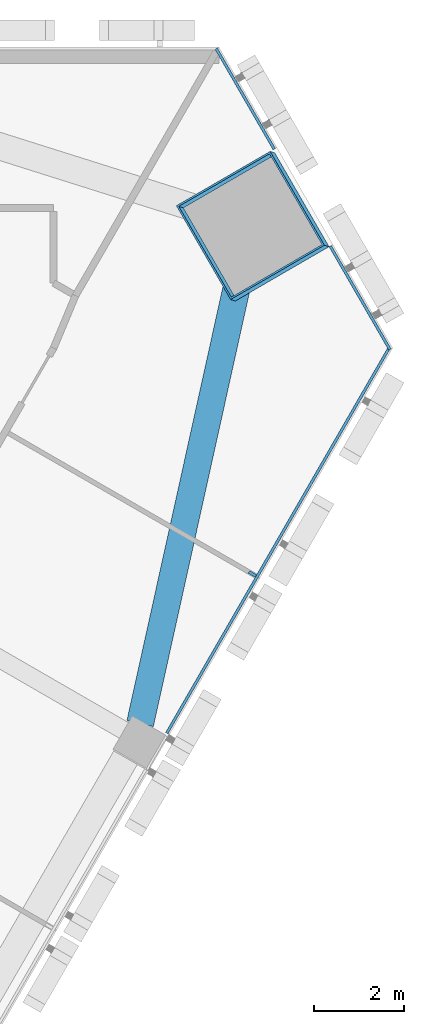
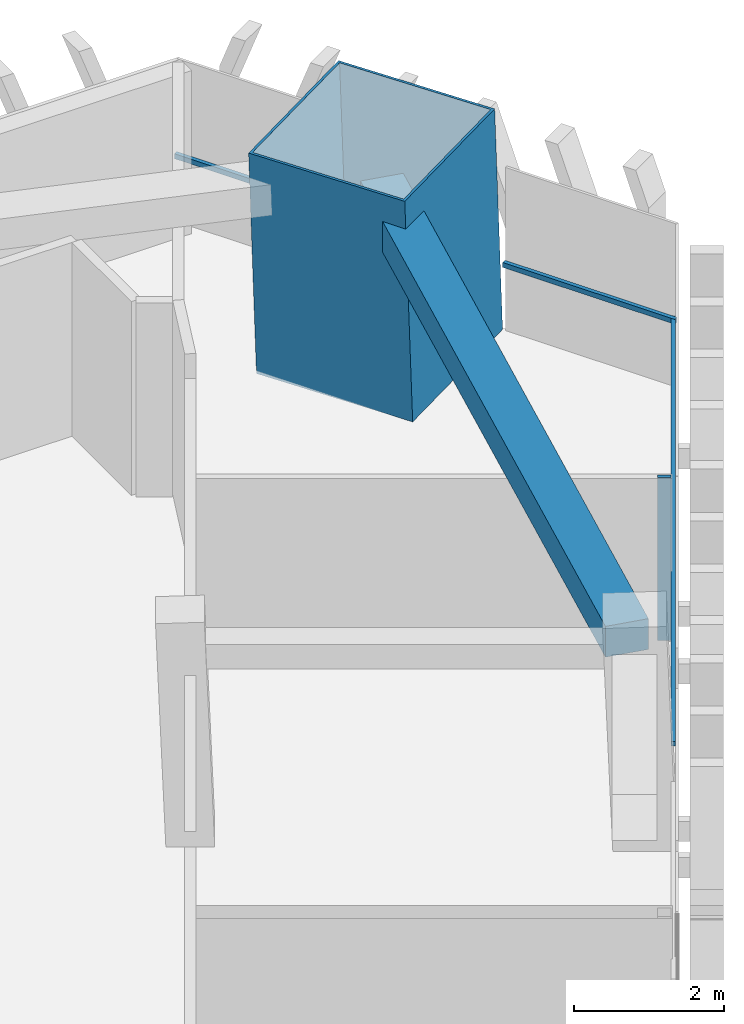
# One storey, part 7 of 16: 5 members, 1 beam, 2 elements without a shape of their own.
"""IFC4 building model written with IfcOpenShell, lengths in metres."""

from ifc_helpers import new_model, si_unit, direction, frame, origin, origin_2d, place, context, subcontext, project, spatial, rectangle, hollow_rectangle, extrude, material, layer, layer_set, material_profile, profile_set, type_object, element, aggregate, save


model = new_model("IFC4")

# Units and contexts
model_context = context("Model", 3, precision=1e-05, world=origin(), true_north=direction((0.0, 1.0)))
body_context = subcontext(model_context, "Body", "Model", "MODEL_VIEW")
ifc_project = project(units=[si_unit("LENGTHUNIT", "METRE"), si_unit("AREAUNIT", "SQUARE_METRE"), si_unit("VOLUMEUNIT", "CUBIC_METRE"), si_unit("PLANEANGLEUNIT", "RADIAN"), si_unit("MASSUNIT", "GRAM", prefix="KILO")], contexts=[model_context])

# Site, building, storey
site_placement = place(None, origin())
site = spatial("IfcSite", under=ifc_project, at=site_placement, CompositionType="ELEMENT")
building_placement = place(site_placement, origin())
building = spatial("IfcBuilding", under=site, at=building_placement, Name="Altiplano Prism Tower", CompositionType="ELEMENT")
storey_placement = place(building_placement, frame((0.0, 0.0, 135.0)))
storey = spatial("IfcBuildingStorey", under=building, at=storey_placement, Name="L34", CompositionType="ELEMENT", Elevation=135.0)

# Curtain wall, members
ifc_material_1 = material(Name="Aluminium and glass", Category="aluminium")
ifc_layer = layer(ifc_material_1, 0.280029296875)
ifc_layer_set = layer_set([ifc_layer], Name="Aluminium and glass")
curtain_wall_type = type_object("IfcCurtainWallType", Name="CW1 typical co-living unitised curtain wall", PredefinedType="NOTDEFINED", material=ifc_layer_set)
curtain_wall_1_placement = place(storey_placement, origin())
curtain_wall_1 = element("IfcCurtainWall", 1, at=curtain_wall_1_placement, inside=storey, type_object=curtain_wall_type, Name="CW1 curtain wall south-east face L34", PredefinedType="NOTDEFINED")
ifc_material_2 = material(Name="Aluminium", Category="aluminium")
ifc_material_profile_1 = material_profile(ifc_material_2, rectangle(XDim=0.179931640625, YDim=0.06494140625, at=origin_2d()), Name="CW1 mullion 65 x 180")
ifc_profile_set_1 = profile_set([ifc_material_profile_1], Name="Aluminium")
member_type_1 = type_object("IfcMemberType", Name="CW1 mullion 65 x 180", PredefinedType="MULLION", material=ifc_profile_set_1)
member_1_placement = place(storey_placement, frame((109.622314453125, 93.33984375, 0.0), z_axis=(0.0, 0.0, 1.0), x_axis=(-0.866025401489, 0.500000003975, 0.0)))
member_1 = element("IfcMember", 2, at=member_1_placement, type_object=member_type_1, Name="CW1 mullion", PredefinedType="MULLION", context=body_context, shape_type="SweptSolid", body=[
    extrude(rectangle(XDim=0.179931640625, YDim=0.06494140625, at=origin_2d()), origin(), (0.0, 0.0, 1.0), 2.64990234375),
])
ifc_material_profile_2 = material_profile(ifc_material_2, rectangle(XDim=0.06005859375, YDim=0.080078125, at=origin_2d()), Name="CW1 transom 80 x 60")
ifc_profile_set_2 = profile_set([ifc_material_profile_2], Name="Aluminium")
member_type_2 = type_object("IfcMemberType", Name="CW1 transom 80 x 60", PredefinedType="USERDEFINED", material=ifc_profile_set_2)
member_2_placement = place(storey_placement, frame((107.728515625, 89.819580078125, 1.10009765625), z_axis=(0.500001283009, 0.866024663038, 0.0), x_axis=(-0.866024663038, 0.500001283009, 0.0)))
member_2 = element("IfcMember", 3, at=member_2_placement, type_object=member_type_2, Name="CW1 transom", ObjectType="TRANSOM", PredefinedType="USERDEFINED", context=body_context, shape_type="SweptSolid", body=[
    extrude(rectangle(XDim=0.06005859375, YDim=0.080078125, at=origin_2d()), origin(), (0.0, 0.0, 1.0), 9.87841796875),
])
aggregate(curtain_wall_1, [member_1, member_2])

curtain_wall_2_placement = place(storey_placement, origin())
curtain_wall_2 = element("IfcCurtainWall", 4, at=curtain_wall_2_placement, inside=storey, type_object=curtain_wall_type, Name="CW1 curtain wall north-east chamfer L34", PredefinedType="NOTDEFINED")
member_3_placement = place(storey_placement, frame((112.667724609375, 98.304443359375, 1.10009765625), z_axis=(-0.500010041276, 0.866019606374, 0.0), x_axis=(-0.866019606374, -0.500010041276, 0.0)))
member_3 = element("IfcMember", 5, at=member_3_placement, type_object=member_type_2, Name="CW1 transom", ObjectType="TRANSOM", PredefinedType="USERDEFINED", context=body_context, shape_type="SweptSolid", body=[
    extrude(rectangle(XDim=0.06005859375, YDim=0.080078125, at=origin_2d()), origin(), (0.0, 0.0, 1.0), 2.6455078125),
])
member_4_placement = place(storey_placement, frame((110.10498046875, 102.7431640625, 1.10009765625), z_axis=(-0.499966827118, 0.86604455531, 0.0), x_axis=(-0.86604455531, -0.499966827118, 0.0)))
member_4 = element("IfcMember", 6, at=member_4_placement, type_object=member_type_2, Name="CW1 transom", ObjectType="TRANSOM", PredefinedType="USERDEFINED", context=body_context, shape_type="SweptSolid", body=[
    extrude(rectangle(XDim=0.06005859375, YDim=0.080078125, at=origin_2d()), origin(), (0.0, 0.0, 1.0), 2.565673828125),
])
aggregate(curtain_wall_2, [member_3, member_4])

# Beam
ifc_material_3 = material(Name="Concrete C60/75", Category="concrete")
ifc_material_profile_3 = material_profile(ifc_material_3, rectangle(XDim=0.60009765625, YDim=0.5, at=origin_2d()), Name="Edge beam 600x500")
ifc_profile_set_3 = profile_set([ifc_material_profile_3], Name="Concrete C60/75")
beam_type = type_object("IfcBeamType", Name="Edge beam 600x500", PredefinedType="SPANDREL", material=ifc_profile_set_3)
beam_placement = place(storey_placement, frame((107.137451171875, 90.029296875, 2.89990234375), z_axis=(0.216110092329, 0.976369001963, 0.0), x_axis=(-0.976369001963, 0.216110092329, 0.0)))
element("IfcBeam", 7, at=beam_placement, inside=storey, type_object=beam_type, Name="Edge beam P24-M2 L35", PredefinedType="SPANDREL", context=body_context, shape_type="SweptSolid", body=[
    extrude(rectangle(XDim=0.60009765625, YDim=0.5, at=origin_2d()), origin(), (0.0, 0.0, 1.0), 10.840576171875),
])

# Member
ifc_material_4 = material(Name="Steel S460", Category="steel")
ifc_material_profile_4 = material_profile(ifc_material_4, hollow_rectangle(XDim=2.39990234375, YDim=2.39990234375, WallThickness=0.0400390625, at=origin_2d()), Name="Mega column tube 2400")
ifc_profile_set_4 = profile_set([ifc_material_profile_4], Name="Steel S460")
member_type_3 = type_object("IfcMemberType", Name="Mega column tube 2400", PredefinedType="POST", material=ifc_profile_set_4)
member_5_placement = place(storey_placement, frame((109.6796875, 101.019775390625, 0.0), z_axis=(-0.028401814599, 0.009218727412, 0.999554076572), x_axis=(0.500749800061, -0.865307108475, 0.022209136917)))
element("IfcMember", 8, at=member_5_placement, inside=storey, type_object=member_type_3, Name="Mega column tube M2 L34", PredefinedType="POST", context=body_context, shape_type="SweptSolid", body=[
    extrude(hollow_rectangle(XDim=2.39990234375, YDim=2.39990234375, WallThickness=0.0400390625, at=origin_2d()), origin(), (0.0, 0.0, 1.0), 3.601806640625),
])

save(model, "model.ifc")
